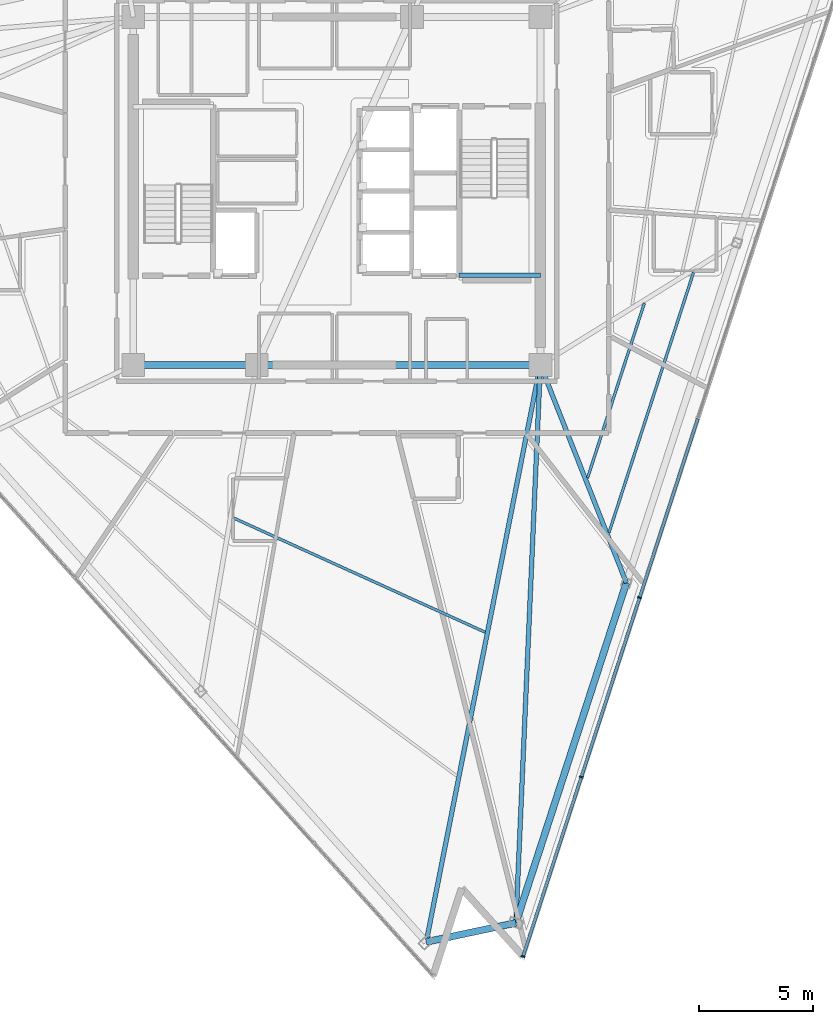
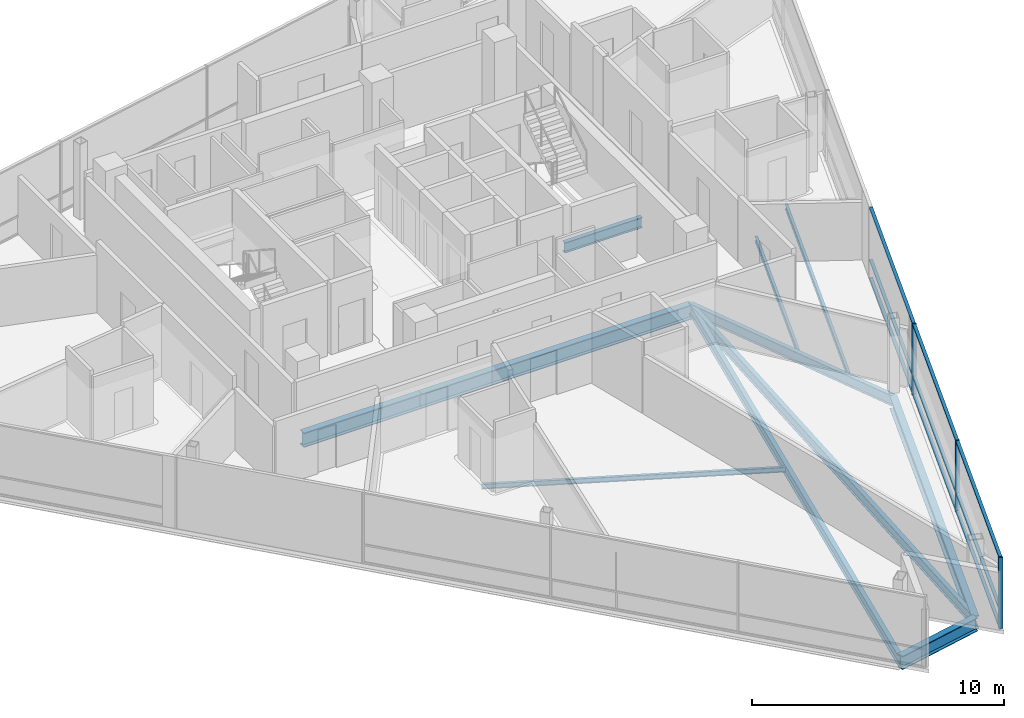
# One storey, part 4 of 17: 12 members, 11 beams, 1 element without a shape of its own.
"""IFC4 building model written with IfcOpenShell, lengths in metres."""

from ifc_helpers import new_model, si_unit, direction, frame, origin, origin_2d, place, context, subcontext, project, spatial, rectangle, i_section, extrude, material, layer, layer_set, material_profile, profile_set, type_object, element, aggregate, save


model = new_model("IFC4")

# Units and contexts
model_context = context("Model", 3, precision=1e-05, world=origin(), true_north=direction((0.0, 1.0)))
body_context = subcontext(model_context, "Body", "Model", "MODEL_VIEW")
ifc_project = project(units=[si_unit("LENGTHUNIT", "METRE"), si_unit("AREAUNIT", "SQUARE_METRE"), si_unit("VOLUMEUNIT", "CUBIC_METRE"), si_unit("PLANEANGLEUNIT", "RADIAN"), si_unit("MASSUNIT", "GRAM", prefix="KILO")], contexts=[model_context])

# Site, building, storey
site_placement = place(None, origin())
site = spatial("IfcSite", under=ifc_project, at=site_placement, CompositionType="ELEMENT")
building_placement = place(site_placement, origin())
building = spatial("IfcBuilding", under=site, at=building_placement, Name="Tharavind Bronze Gate", CompositionType="ELEMENT")
storey_placement = place(building_placement, frame((0.0, 0.0, 294.35009765625)))
storey = spatial("IfcBuildingStorey", under=building, at=storey_placement, Name="L76", CompositionType="ELEMENT", Elevation=294.35009765625)

# Curtain wall, members
ifc_material_1 = material(Name="Anodised Bronze Aluminium", Category="aluminium")
ifc_layer = layer(ifc_material_1, 0.219970703125)
ifc_layer_set = layer_set([ifc_layer], Name="Anodised Bronze Aluminium")
curtain_wall_type = type_object("IfcCurtainWallType", Name="UNITISED CURTAIN WALL CROWN", PredefinedType="USERDEFINED", material=ifc_layer_set)
curtain_wall_placement = place(storey_placement, origin())
curtain_wall = element("IfcCurtainWall", 1, at=curtain_wall_placement, inside=storey, type_object=curtain_wall_type, Name="L76 unitised curtain wall crown CW-L76-S2", ObjectType="UNITISED CURTAIN WALL", PredefinedType="USERDEFINED")
member_type_1 = type_object("IfcMemberType", Name="CURTAIN WALL BRONZE MULLION 65X180", PredefinedType="MULLION", material=ifc_material_1)
member_1_placement = place(storey_placement, frame((8.14111328125, -33.462646484375, 0.0), z_axis=(0.0, 0.0, 1.0), x_axis=(0.309016994375, 0.951056516295, 0.0)))
member_1 = element("IfcMember", 2, at=member_1_placement, type_object=member_type_1, Name="CW-L76-S2 mullion 1", PredefinedType="MULLION", context=body_context, shape_type="SweptSolid", body=[
    extrude(rectangle(XDim=0.06494140625, YDim=0.179931640625, at=origin_2d()), origin(), (0.0, 0.0, 1.0), 3.449951171875),
])
member_2_placement = place(storey_placement, frame((10.68994140625, -25.618408203125, 0.0), z_axis=(0.0, 0.0, 1.0), x_axis=(0.309016994375, 0.951056516295, 0.0)))
member_2 = element("IfcMember", 3, at=member_2_placement, type_object=member_type_1, Name="CW-L76-S2 mullion 2", PredefinedType="MULLION", context=body_context, shape_type="SweptSolid", body=[
    extrude(rectangle(XDim=0.06494140625, YDim=0.179931640625, at=origin_2d()), origin(), (0.0, 0.0, 1.0), 3.449951171875),
])
member_3_placement = place(storey_placement, frame((13.23876953125, -17.77392578125, 0.0), z_axis=(0.0, 0.0, 1.0), x_axis=(0.309016994375, 0.951056516295, 0.0)))
member_3 = element("IfcMember", 4, at=member_3_placement, type_object=member_type_1, Name="CW-L76-S2 mullion 3", PredefinedType="MULLION", context=body_context, shape_type="SweptSolid", body=[
    extrude(rectangle(XDim=0.06494140625, YDim=0.179931640625, at=origin_2d()), origin(), (0.0, 0.0, 1.0), 3.449951171875),
])
member_type_2 = type_object("IfcMemberType", Name="CURTAIN WALL BRONZE TRANSOM 65X140", PredefinedType="USERDEFINED", material=ifc_material_1)
member_4_placement = place(storey_placement, frame((9.41552734375, -29.54052734375, 0.0), z_axis=(0.0, 0.0, 1.0), x_axis=(0.309016994375, 0.951056516295, 0.0)))
member_4 = element("IfcMember", 5, at=member_4_placement, type_object=member_type_2, Name="CW-L76-S2 transom TB1", ObjectType="TRANSOM", PredefinedType="USERDEFINED", context=body_context, shape_type="SweptSolid", body=[
    extrude(rectangle(XDim=8.195068359375, YDim=0.139892578125, at=origin_2d()), origin(), (0.0, 0.0, 1.0), 0.06494140625),
])
member_5_placement = place(storey_placement, frame((9.41552734375, -29.54052734375, 0.867431640625), z_axis=(0.0, 0.0, 1.0), x_axis=(0.309016994375, 0.951056516295, 0.0)))
member_5 = element("IfcMember", 6, at=member_5_placement, type_object=member_type_2, Name="CW-L76-S2 transom TS1", ObjectType="TRANSOM", PredefinedType="USERDEFINED", context=body_context, shape_type="SweptSolid", body=[
    extrude(rectangle(XDim=8.195068359375, YDim=0.139892578125, at=origin_2d()), origin(), (0.0, 0.0, 1.0), 0.06494140625),
])
member_6_placement = place(storey_placement, frame((9.41552734375, -29.54052734375, 3.385009765625), z_axis=(0.0, 0.0, 1.0), x_axis=(0.309016994375, 0.951056516295, 0.0)))
member_6 = element("IfcMember", 7, at=member_6_placement, type_object=member_type_2, Name="CW-L76-S2 transom TT1", ObjectType="TRANSOM", PredefinedType="USERDEFINED", context=body_context, shape_type="SweptSolid", body=[
    extrude(rectangle(XDim=8.195068359375, YDim=0.139892578125, at=origin_2d()), origin(), (0.0, 0.0, 1.0), 0.06494140625),
])
member_7_placement = place(storey_placement, frame((11.96435546875, -21.6962890625, 0.0), z_axis=(0.0, 0.0, 1.0), x_axis=(0.309016994375, 0.951056516295, 0.0)))
member_7 = element("IfcMember", 8, at=member_7_placement, type_object=member_type_2, Name="CW-L76-S2 transom TB2", ObjectType="TRANSOM", PredefinedType="USERDEFINED", context=body_context, shape_type="SweptSolid", body=[
    extrude(rectangle(XDim=8.195068359375, YDim=0.139892578125, at=origin_2d()), origin(), (0.0, 0.0, 1.0), 0.06494140625),
])
member_8_placement = place(storey_placement, frame((11.96435546875, -21.6962890625, 0.867431640625), z_axis=(0.0, 0.0, 1.0), x_axis=(0.309016994375, 0.951056516295, 0.0)))
member_8 = element("IfcMember", 9, at=member_8_placement, type_object=member_type_2, Name="CW-L76-S2 transom TS2", ObjectType="TRANSOM", PredefinedType="USERDEFINED", context=body_context, shape_type="SweptSolid", body=[
    extrude(rectangle(XDim=8.195068359375, YDim=0.139892578125, at=origin_2d()), origin(), (0.0, 0.0, 1.0), 0.06494140625),
])
member_9_placement = place(storey_placement, frame((11.96435546875, -21.6962890625, 3.385009765625), z_axis=(0.0, 0.0, 1.0), x_axis=(0.309016994375, 0.951056516295, 0.0)))
member_9 = element("IfcMember", 10, at=member_9_placement, type_object=member_type_2, Name="CW-L76-S2 transom TT2", ObjectType="TRANSOM", PredefinedType="USERDEFINED", context=body_context, shape_type="SweptSolid", body=[
    extrude(rectangle(XDim=8.195068359375, YDim=0.139892578125, at=origin_2d()), origin(), (0.0, 0.0, 1.0), 0.06494140625),
])
member_10_placement = place(storey_placement, frame((14.51318359375, -13.851806640625, 0.0), z_axis=(0.0, 0.0, 1.0), x_axis=(0.309016994375, 0.951056516295, 0.0)))
member_10 = element("IfcMember", 11, at=member_10_placement, type_object=member_type_2, Name="CW-L76-S2 transom TB3", ObjectType="TRANSOM", PredefinedType="USERDEFINED", context=body_context, shape_type="SweptSolid", body=[
    extrude(rectangle(XDim=8.195068359375, YDim=0.139892578125, at=origin_2d()), origin(), (0.0, 0.0, 1.0), 0.06494140625),
])
member_11_placement = place(storey_placement, frame((14.51318359375, -13.851806640625, 0.867431640625), z_axis=(0.0, 0.0, 1.0), x_axis=(0.309016994375, 0.951056516295, 0.0)))
member_11 = element("IfcMember", 12, at=member_11_placement, type_object=member_type_2, Name="CW-L76-S2 transom TS3", ObjectType="TRANSOM", PredefinedType="USERDEFINED", context=body_context, shape_type="SweptSolid", body=[
    extrude(rectangle(XDim=8.195068359375, YDim=0.139892578125, at=origin_2d()), origin(), (0.0, 0.0, 1.0), 0.06494140625),
])
member_12_placement = place(storey_placement, frame((14.51318359375, -13.851806640625, 3.385009765625), z_axis=(0.0, 0.0, 1.0), x_axis=(0.309016994375, 0.951056516295, 0.0)))
member_12 = element("IfcMember", 13, at=member_12_placement, type_object=member_type_2, Name="CW-L76-S2 transom TT3", ObjectType="TRANSOM", PredefinedType="USERDEFINED", context=body_context, shape_type="SweptSolid", body=[
    extrude(rectangle(XDim=8.195068359375, YDim=0.139892578125, at=origin_2d()), origin(), (0.0, 0.0, 1.0), 0.06494140625),
])
aggregate(curtain_wall, [member_1, member_2, member_3, member_4, member_5, member_6, member_7, member_8, member_9, member_10, member_11, member_12])

# Beams
ifc_material_2 = material(Name="Steel S355", Category="steel")
ifc_material_profile_1 = material_profile(ifc_material_2, i_section(OverallWidth=0.300048828125, OverallDepth=0.64990234375, WebThickness=0.01611328125, FlangeThickness=0.031005859375, at=origin_2d()), Name="HE650B")
ifc_profile_set_1 = profile_set([ifc_material_profile_1], Name="Steel S355")
beam_type_1 = type_object("IfcBeamType", Name="PRIMARY GIRDER HE650B", PredefinedType="USERDEFINED", material=ifc_profile_set_1)
beam_1_placement = place(storey_placement, frame((3.908935546875, -32.82861328125, -0.510009765625), z_axis=(0.978162875873, 0.207839813954, 0.0), x_axis=(-0.207839813954, 0.978162875873, 0.0)))
element("IfcBeam", 14, at=beam_1_placement, inside=storey, type_object=beam_type_1, Name="L76 primary girder he650b BM-L76-PRG04", ObjectType="GIRDER", PredefinedType="USERDEFINED", context=body_context, shape_type="SweptSolid", body=[
    extrude(i_section(OverallWidth=0.300048828125, OverallDepth=0.64990234375, WebThickness=0.01611328125, FlangeThickness=0.031005859375, at=origin_2d()), origin(), (0.0, 0.0, 1.0), 4.0078125),
])
beam_2_placement = place(storey_placement, frame((7.829345703125, -31.99560546875, -0.510009765625), z_axis=(0.309011547215, 0.951058286168, 0.0), x_axis=(-0.951058286168, 0.309011547215, 0.0)))
element("IfcBeam", 15, at=beam_2_placement, inside=storey, type_object=beam_type_1, Name="L76 primary girder he650b BM-L76-PRG05", ObjectType="GIRDER", PredefinedType="USERDEFINED", context=body_context, shape_type="SweptSolid", body=[
    extrude(i_section(OverallWidth=0.300048828125, OverallDepth=0.64990234375, WebThickness=0.01611328125, FlangeThickness=0.031005859375, at=origin_2d()), origin(), (0.0, 0.0, 1.0), 15.6298828125),
])
ifc_material_profile_2 = material_profile(ifc_material_2, i_section(OverallWidth=0.199951171875, OverallDepth=0.5, WebThickness=0.01025390625, FlangeThickness=0.01611328125, at=origin_2d()), Name="IPE500")
ifc_profile_set_2 = profile_set([ifc_material_profile_2], Name="Steel S355")
beam_type_2 = type_object("IfcBeamType", Name="PRIMARY GIRDER IPE500", PredefinedType="USERDEFINED", material=ifc_profile_set_2)
beam_3_placement = place(storey_placement, frame((5.35009765625, -3.679931640625, 1.375), z_axis=(1.0, 0.0, 0.0), x_axis=(0.0, 1.0, 0.0)))
element("IfcBeam", 16, at=beam_3_placement, inside=storey, type_object=beam_type_2, Name="L76 primary girder ipe500 BM-LD-ST2-L76-1", ObjectType="GIRDER", PredefinedType="USERDEFINED", context=body_context, shape_type="SweptSolid", body=[
    extrude(i_section(OverallWidth=0.199951171875, OverallDepth=0.5, WebThickness=0.01025390625, FlangeThickness=0.01611328125, at=origin_2d()), origin(), (0.0, 0.0, 1.0), 3.5498046875),
])
beam_4_placement = place(storey_placement, frame((3.908935546875, -32.82861328125, -0.43505859375), z_axis=(0.194069196249, 0.980987842467, 0.0), x_axis=(-0.980987842467, 0.194069196249, 0.0)))
element("IfcBeam", 17, at=beam_4_placement, inside=storey, type_object=beam_type_2, Name="L76 primary girder ipe500 BM-L76-RAD04", ObjectType="GIRDER", PredefinedType="USERDEFINED", context=body_context, shape_type="SweptSolid", body=[
    extrude(i_section(OverallWidth=0.199951171875, OverallDepth=0.5, WebThickness=0.01025390625, FlangeThickness=0.01611328125, at=origin_2d()), origin(), (0.0, 0.0, 1.0), 25.717529296875),
])
beam_5_placement = place(storey_placement, frame((7.829345703125, -31.99560546875, -0.43505859375), z_axis=(0.043841158128, 0.9990385142, 0.0), x_axis=(-0.9990385142, 0.043841158128, 0.0)))
element("IfcBeam", 18, at=beam_5_placement, inside=storey, type_object=beam_type_2, Name="L76 primary girder ipe500 BM-L76-RAD05", ObjectType="GIRDER", PredefinedType="USERDEFINED", context=body_context, shape_type="SweptSolid", body=[
    extrude(i_section(OverallWidth=0.199951171875, OverallDepth=0.5, WebThickness=0.01025390625, FlangeThickness=0.01611328125, at=origin_2d()), origin(), (0.0, 0.0, 1.0), 24.4189453125),
])
beam_6_placement = place(storey_placement, frame((12.6591796875, -17.130615234375, -0.43505859375), z_axis=(-0.366932678931, 0.930247498859, 0.0), x_axis=(-0.930247498859, -0.366932678931, 0.0)))
element("IfcBeam", 19, at=beam_6_placement, inside=storey, type_object=beam_type_2, Name="L76 primary girder ipe500 BM-L76-RAD06", ObjectType="GIRDER", PredefinedType="USERDEFINED", context=body_context, shape_type="SweptSolid", body=[
    extrude(i_section(OverallWidth=0.199951171875, OverallDepth=0.5, WebThickness=0.01025390625, FlangeThickness=0.01611328125, at=origin_2d()), origin(), (0.0, 0.0, 1.0), 10.2451171875),
])
ifc_material_profile_3 = material_profile(ifc_material_2, i_section(OverallWidth=0.300048828125, OverallDepth=0.699951171875, WebThickness=0.01708984375, FlangeThickness=0.031982421875, at=origin_2d()), Name="HE700B")
ifc_profile_set_3 = profile_set([ifc_material_profile_3], Name="Steel S355")
beam_type_3 = type_object("IfcBeamType", Name="RING GIRDER HE700B", PredefinedType="USERDEFINED", material=ifc_profile_set_3)
beam_7_placement = place(storey_placement, frame((-8.89990234375, -7.60009765625, -0.53515625), z_axis=(1.0, 0.0, 0.0), x_axis=(0.0, 1.0, 0.0)))
element("IfcBeam", 20, at=beam_7_placement, inside=storey, type_object=beam_type_3, Name="L76 ring girder he700b BM-L76-CR1", ObjectType="GIRDER", PredefinedType="USERDEFINED", context=body_context, shape_type="SweptSolid", body=[
    extrude(i_section(OverallWidth=0.300048828125, OverallDepth=0.699951171875, WebThickness=0.01708984375, FlangeThickness=0.031982421875, at=origin_2d()), origin(), (0.0, 0.0, 1.0), 5.39990234375),
])
beam_8_placement = place(storey_placement, frame((-3.5, -7.60009765625, -0.53515625), z_axis=(1.0, 0.0, 0.0), x_axis=(0.0, 1.0, 0.0)))
element("IfcBeam", 21, at=beam_8_placement, inside=storey, type_object=beam_type_3, Name="L76 ring girder he700b BM-L76-CR2", ObjectType="GIRDER", PredefinedType="USERDEFINED", context=body_context, shape_type="SweptSolid", body=[
    extrude(i_section(OverallWidth=0.300048828125, OverallDepth=0.699951171875, WebThickness=0.01708984375, FlangeThickness=0.031982421875, at=origin_2d()), origin(), (0.0, 0.0, 1.0), 12.39990234375),
])
ifc_material_profile_4 = material_profile(ifc_material_2, i_section(OverallWidth=0.1201171875, OverallDepth=0.239990234375, WebThickness=0.006103515625, FlangeThickness=0.009765625, at=origin_2d()), Name="IPE240")
ifc_profile_set_4 = profile_set([ifc_material_profile_4], Name="Steel S355")
beam_type_4 = type_object("IfcBeamType", Name="SECONDARY FLOOR JOIST IPE240", PredefinedType="JOIST", material=ifc_profile_set_4)
beam_9_placement = place(storey_placement, frame((-4.543212890625, -14.2822265625, -0.30517578125), z_axis=(0.910570075217, -0.413354736419, 0.0), x_axis=(0.413354736419, 0.910570075217, 0.0)))
element("IfcBeam", 22, at=beam_9_placement, inside=storey, type_object=beam_type_4, Name="L76 secondary floor joist ipe240 BM-L76-JSTA03", PredefinedType="JOIST", context=body_context, shape_type="SweptSolid", body=[
    extrude(i_section(OverallWidth=0.1201171875, OverallDepth=0.239990234375, WebThickness=0.006103515625, FlangeThickness=0.009765625, at=origin_2d()), origin(), (0.0, 0.0, 1.0), 12.10791015625),
])
beam_10_placement = place(storey_placement, frame((10.9609375, -12.545654296875, -0.30517578125), z_axis=(0.309014681119, 0.951057267914, 0.0), x_axis=(-0.951057267914, 0.309014681119, 0.0)))
element("IfcBeam", 23, at=beam_10_placement, inside=storey, type_object=beam_type_4, Name="L76 secondary floor joist ipe240 BM-L76-JSTA06", PredefinedType="JOIST", context=body_context, shape_type="SweptSolid", body=[
    extrude(i_section(OverallWidth=0.1201171875, OverallDepth=0.239990234375, WebThickness=0.006103515625, FlangeThickness=0.009765625, at=origin_2d()), origin(), (0.0, 0.0, 1.0), 8.0419921875),
])
beam_11_placement = place(storey_placement, frame((11.90087890625, -14.92822265625, -0.30517578125), z_axis=(0.309022779796, 0.951054636478, 0.0), x_axis=(-0.951054636478, 0.309022779796, 0.0)))
element("IfcBeam", 24, at=beam_11_placement, inside=storey, type_object=beam_type_4, Name="L76 secondary floor joist ipe240 BM-L76-JSTB06", PredefinedType="JOIST", context=body_context, shape_type="SweptSolid", body=[
    extrude(i_section(OverallWidth=0.1201171875, OverallDepth=0.239990234375, WebThickness=0.006103515625, FlangeThickness=0.009765625, at=origin_2d()), origin(), (0.0, 0.0, 1.0), 11.949462890625),
])

save(model, "model.ifc")
